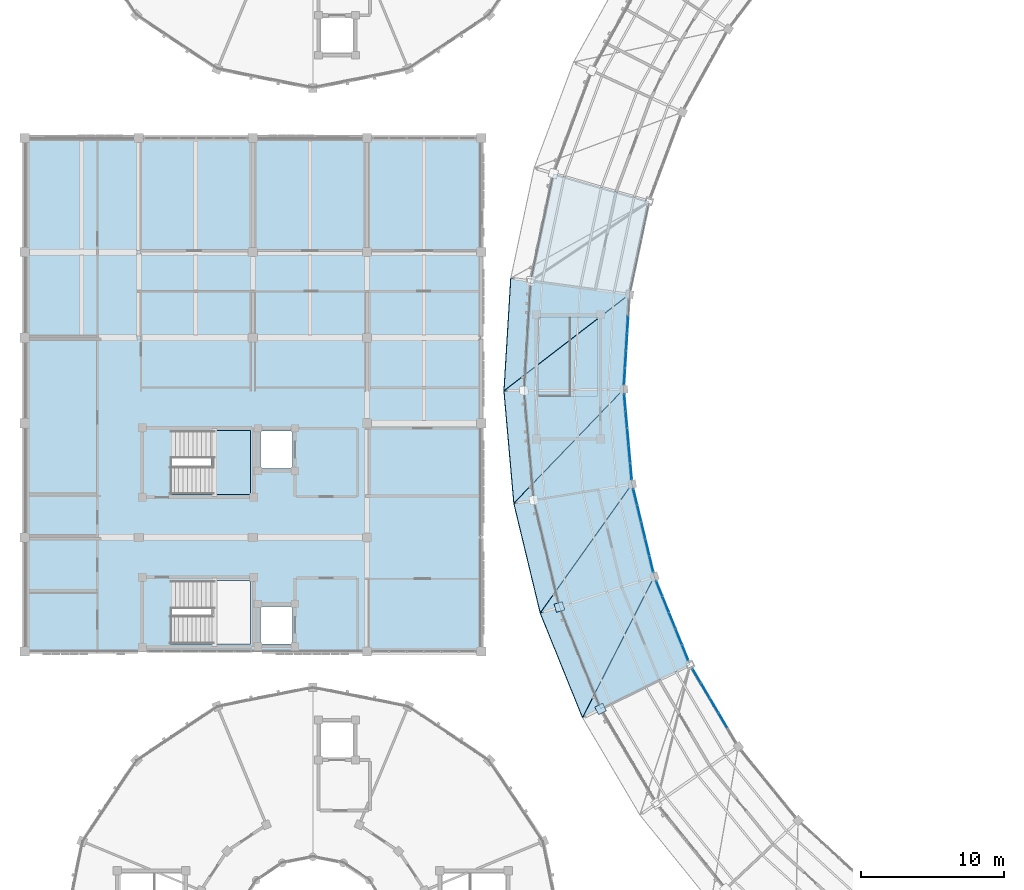
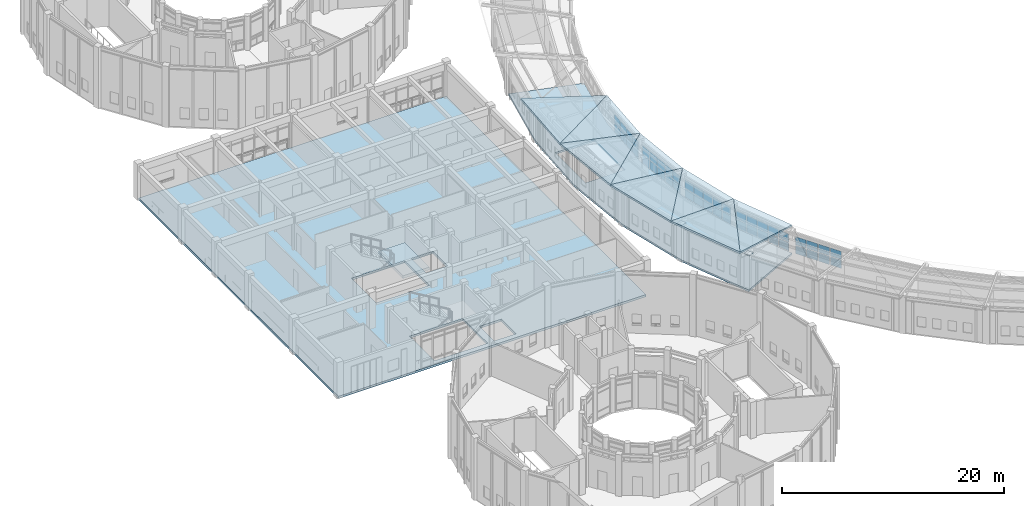
# One storey, part 102 of 149: 48 plates, 11 slabs, 6 elements without a shape of their own.
"""IFC4 building model written with IfcOpenShell, lengths in metres."""

import ifcopenshell
import ifcopenshell.guid

model = None  # the IFC model being written
_history = None  # IfcOwnerHistory: only IFC2X3 demands one
_inside = {}  # id of a spatial element -> (the spatial element, [elements in it])
_under = {}  # id of a project, library or spatial element -> (it, [spatial elements below it])
_declared = {}  # id of a project -> (the project, [libraries it declares])
_typed = {}  # id of a type object -> (the type object, [elements of that type])
_made_of = {}  # id of a material, layer set ... -> (it, [elements and type objects made of it])


def new_model(schema):
    """Start an empty IFC model of exactly this schema.

    Asked for "IFC4X3", IfcOpenShell would pick the latest addendum, in which some entities
    have other attributes; the version numbers below select the first issue.
    IFC2X3 requires an IfcOwnerHistory on every rooted entity: one is made here for all.
    """
    global model, _history
    if schema == "IFC4X3":
        model = ifcopenshell.file(schema_version=(4, 3, 0, 0))
    else:
        model = ifcopenshell.file(schema=schema)
    _inside.clear()
    _under.clear()
    _declared.clear()
    _typed.clear()
    _made_of.clear()
    _history = None
    if model.schema == "IFC2X3":
        org = make("IfcOrganization", Name="unknown")
        user = make(
            "IfcPersonAndOrganization",
            ThePerson=make("IfcPerson", FamilyName="unknown"),
            TheOrganization=org,
        )
        app = make(
            "IfcApplication",
            ApplicationDeveloper=org,
            Version="unknown",
            ApplicationFullName="unknown",
            ApplicationIdentifier="unknown",
        )
        _history = make(
            "IfcOwnerHistory",
            OwningUser=user,
            OwningApplication=app,
            ChangeAction="ADDED",
            CreationDate=0,
        )
    return model


def make(cls, **values):
    """One entity of the class cls with the attributes given. An attribute that is None is left unset."""
    return model.create_entity(
        cls, **{name: value for name, value in values.items() if value is not None}
    )


def rooted(cls, **values):
    """An entity with a GlobalId (a new one), such as an element, a storey or a relation."""
    return make(cls, GlobalId=ifcopenshell.guid.new(), OwnerHistory=_history, **values)


def si_unit(unit_type, name, prefix=None):
    """IfcSIUnit, for example si_unit("LENGTHUNIT", "METRE", prefix="MILLI")."""
    return make("IfcSIUnit", UnitType=unit_type, Prefix=prefix, Name=name)


def assignment(units):
    """IfcUnitAssignment: the units of a project."""
    return None if units is None else make("IfcUnitAssignment", Units=units)


def point(xyz):
    """IfcCartesianPoint."""
    return None if xyz is None else make("IfcCartesianPoint", Coordinates=xyz)


def direction(xyz):
    """IfcDirection."""
    return None if xyz is None else make("IfcDirection", DirectionRatios=xyz)


def frame(location, z_axis=None, x_axis=None):
    """IfcAxis2Placement3D, a coordinate frame: its origin and axes. An axis left out is left unset."""
    return make(
        "IfcAxis2Placement3D",
        Location=point(location),
        Axis=direction(z_axis),
        RefDirection=direction(x_axis),
    )


def frame_2d(location, x_axis=None):
    """IfcAxis2Placement2D, a coordinate frame in the plane: its origin and x axis."""
    return make(
        "IfcAxis2Placement2D", Location=point(location), RefDirection=direction(x_axis)
    )


def origin():
    """The frame at (0, 0, 0) with its axes left unset."""
    return frame((0.0, 0.0, 0.0))


def origin_2d():
    """The frame at (0, 0) in the plane with its x axis left unset."""
    return frame_2d((0.0, 0.0))


def place(relative_to, where):
    """IfcLocalPlacement: puts the frame where relative to a parent placement (None: the world)."""
    return make(
        "IfcLocalPlacement", PlacementRelTo=relative_to, RelativePlacement=where
    )


def context(
    kind, dimensions, precision=None, world=None, true_north=None, identifier=None
):
    """IfcGeometricRepresentationContext, for example the 3D "Model" context."""
    return make(
        "IfcGeometricRepresentationContext",
        ContextIdentifier=identifier,
        ContextType=kind,
        CoordinateSpaceDimension=dimensions,
        Precision=precision,
        WorldCoordinateSystem=world,
        TrueNorth=true_north,
    )


def subcontext(parent, identifier, kind, view, scale=None):
    """IfcGeometricRepresentationSubContext, for example "Body" below "Model"."""
    return make(
        "IfcGeometricRepresentationSubContext",
        ContextIdentifier=identifier,
        ContextType=kind,
        ParentContext=parent,
        TargetScale=scale,
        TargetView=view,
    )


def project(units=None, contexts=None):
    """IfcProject with its units and contexts."""
    return rooted(
        "IfcProject",
        Name="project",
        RepresentationContexts=contexts,
        UnitsInContext=assignment(units),
    )


def spatial(cls, under=None, at=None, **own):
    """A site, building, storey or space (cls), placed at a placement, below another one or the project."""
    s = rooted(cls, ObjectPlacement=at, **own)
    if under is not None:
        _under.setdefault(under.id(), (under, []))[1].append(s)
    return s


def polyline(points):
    """IfcPolyline through the points."""
    return make("IfcPolyline", Points=[point(p) for p in points])


def profile(cls, at=None, kind="AREA", **sizes):
    """A parametric profile (cls). Its sizes go by their IFC names, for example OverallWidth=200.0."""
    return make(cls, ProfileType=kind, Position=at, **sizes)


def rectangle(**sizes):
    """IfcRectangleProfileDef."""
    return profile("IfcRectangleProfileDef", **sizes)


def outline(outer, holes=None, kind="AREA"):
    """IfcArbitraryClosedProfileDef: a profile drawn as a closed curve; with holes, ...WithVoids."""
    if holes is None:
        return make("IfcArbitraryClosedProfileDef", ProfileType=kind, OuterCurve=outer)
    return make(
        "IfcArbitraryProfileDefWithVoids",
        ProfileType=kind,
        OuterCurve=outer,
        InnerCurves=holes,
    )


def extrude(swept, where, along, depth):
    """IfcExtrudedAreaSolid: the profile swept, set in the frame where, extruded along a direction by depth."""
    return make(
        "IfcExtrudedAreaSolid",
        SweptArea=swept,
        Position=where,
        ExtrudedDirection=direction(along),
        Depth=depth,
    )


def shape(context_of_items, identifier, shape_type, items):
    """IfcShapeRepresentation: the items that make up one representation, for example the "Body"."""
    return make(
        "IfcShapeRepresentation",
        ContextOfItems=context_of_items,
        RepresentationIdentifier=identifier,
        RepresentationType=shape_type,
        Items=items,
    )


def material(Name=None, Category=None):
    """IfcMaterial."""
    return make("IfcMaterial", Name=Name, Category=Category)


def layer(
    of_material, thickness, ventilated=None, Name=None, Category=None, Priority=None
):
    """IfcMaterialLayer: one layer of a wall or slab, of a material (None: an air gap)."""
    return make(
        "IfcMaterialLayer",
        Material=of_material,
        LayerThickness=thickness,
        IsVentilated=ventilated,
        Name=Name,
        Category=Category,
        Priority=Priority,
    )


def layer_set(layers, Name=None):
    """IfcMaterialLayerSet."""
    return make("IfcMaterialLayerSet", MaterialLayers=layers, LayerSetName=Name)


def made_of(thing, what):
    """Note that an element or type object is made of a material, layer set ...; save() writes the relation."""
    if what is not None:
        _made_of.setdefault(what.id(), (what, []))[1].append(thing)
    return thing


def type_object(cls, material=None, **own):
    """A type object (cls), such as IfcWallType, which elements share."""
    return made_of(rooted(cls, **own), material)


def element(
    cls,
    number,
    at=None,
    inside=None,
    cuts=None,
    type_object=None,
    material=None,
    context=None,
    identifier="Body",
    shape_type=None,
    held_by="IfcProductDefinitionShape",
    body=None,
    shapes=None,
    **own,
):
    """One element of the class cls, such as IfcWall. Its Tag is "e" and its number.

    at: its placement. inside: the storey or other place that contains it. cuts: it is an
    opening in that element (IfcRelVoidsElement). A single representation is given by context,
    identifier, shape_type and body (its items); several are given by shapes. held_by: the class
    of the entity that holds the representations. save() writes the other relations.
    """
    e = rooted(cls, Tag="e%d" % number, ObjectPlacement=at, **own)
    if body is not None:
        shapes = [shape(context, identifier, shape_type, body)]
    if shapes is not None:
        e.Representation = make(held_by, Representations=shapes)
    if inside is not None:
        _inside.setdefault(inside.id(), (inside, []))[1].append(e)
    if cuts is not None:
        rooted(
            "IfcRelVoidsElement", RelatingBuildingElement=cuts, RelatedOpeningElement=e
        )
    if type_object is not None:
        _typed.setdefault(type_object.id(), (type_object, []))[1].append(e)
    return made_of(e, material)


def aggregate(whole, parts):
    """IfcRelAggregates: a whole, such as a stair, and the parts it consists of."""
    return rooted("IfcRelAggregates", RelatingObject=whole, RelatedObjects=parts)


def save(model, path):
    """Write the relations noted so far, then the file.

    IfcRelAggregates (storeys below a building ...), IfcRelContainedInSpatialStructure (elements
    in a storey), IfcRelDefinesByType, IfcRelAssociatesMaterial and IfcRelDeclares: one each for
    every whole, place, type object, material and project.
    """
    for whole, parts in _under.values():
        aggregate(whole, parts)
    for where, things in _inside.values():
        rooted(
            "IfcRelContainedInSpatialStructure",
            RelatedElements=things,
            RelatingStructure=where,
        )
    for kind, things in _typed.values():
        rooted("IfcRelDefinesByType", RelatedObjects=things, RelatingType=kind)
    for what, things in _made_of.values():
        rooted("IfcRelAssociatesMaterial", RelatedObjects=things, RelatingMaterial=what)
    for by, libraries in _declared.values():
        rooted("IfcRelDeclares", RelatingContext=by, RelatedDefinitions=libraries)
    model.write(path)


model = new_model("IFC4")

# Units and contexts
model_context = context("Model", 3, precision=1e-05, world=origin(), true_north=direction((0.0, 1.0)))
body_context = subcontext(model_context, "Body", "Model", "MODEL_VIEW")
ifc_project = project(units=[si_unit("LENGTHUNIT", "METRE"), si_unit("AREAUNIT", "SQUARE_METRE"), si_unit("VOLUMEUNIT", "CUBIC_METRE"), si_unit("PLANEANGLEUNIT", "RADIAN"), si_unit("MASSUNIT", "GRAM", prefix="KILO")], contexts=[model_context])

# Site, building, storey
site_placement = place(None, origin())
site = spatial("IfcSite", under=ifc_project, at=site_placement, CompositionType="ELEMENT")
building_placement = place(site_placement, origin())
building = spatial("IfcBuilding", under=site, at=building_placement, Name="Celadon Cloister-Ring School", CompositionType="ELEMENT")
storey_placement = place(building_placement, frame((0.0, 0.0, 12.5)))
storey = spatial("IfcBuildingStorey", under=building, at=storey_placement, Name="L03", CompositionType="ELEMENT", Elevation=12.5)

# Curtain wall, plates
ifc_material_1 = material(Name="Aluminium EN AW-6063 T6", Category="aluminium")
curtain_wall_type = type_object("IfcCurtainWallType", Name="CW-02", PredefinedType="USERDEFINED", material=ifc_material_1)
curtain_wall_1_placement = place(storey_placement, origin())
curtain_wall_1 = element("IfcCurtainWall", 1, at=curtain_wall_1_placement, inside=storey, type_object=curtain_wall_type, Name="Curtain Wall 0050", ObjectType="CURTAIN WALL", PredefinedType="USERDEFINED")
ifc_material_2 = material(Name="Tempered laminated insulating glass", Category="glass")
ifc_layer_1 = layer(ifc_material_2, 0.035888671875)
ifc_layer_set_1 = layer_set([ifc_layer_1], Name="Tempered laminated insulating glass")
plate_type_1 = type_object("IfcPlateType", Name="CPN-03", PredefinedType="CURTAIN_PANEL", material=ifc_layer_set_1)
plate_1_placement = place(storey_placement, frame((42.278564453125, 62.924560546875, 0.074951171875), z_axis=(0.0, 0.0, 1.0), x_axis=(-0.060238065975, -0.998184038846, 0.0)))
plate_1 = element("IfcPlate", 2, at=plate_1_placement, type_object=plate_type_1, Name="CW-02 panel 2.1", PredefinedType="CURTAIN_PANEL", context=body_context, shape_type="SweptSolid", body=[
    extrude(rectangle(XDim=1.141845703125, YDim=0.035888671875, at=origin_2d()), origin(), (0.0, 0.0, 1.0), 0.8974609375),
])
plate_2_placement = place(storey_placement, frame((42.278564453125, 62.924560546875, 1.047607421875), z_axis=(0.0, 0.0, 1.0), x_axis=(-0.060238065975, -0.998184038846, 0.0)))
plate_2 = element("IfcPlate", 3, at=plate_2_placement, type_object=plate_type_1, Name="CW-02 panel 2.2", PredefinedType="CURTAIN_PANEL", context=body_context, shape_type="SweptSolid", body=[
    extrude(rectangle(XDim=1.141845703125, YDim=0.035888671875, at=origin_2d()), origin(), (0.0, 0.0, 1.0), 0.8974609375),
])
plate_3_placement = place(storey_placement, frame((42.205078125, 61.705078125, 0.074951171875), z_axis=(0.0, 0.0, 1.0), x_axis=(-0.060238065975, -0.998184038846, 0.0)))
plate_3 = element("IfcPlate", 4, at=plate_3_placement, type_object=plate_type_1, Name="CW-02 panel 3.1", PredefinedType="CURTAIN_PANEL", context=body_context, shape_type="SweptSolid", body=[
    extrude(rectangle(XDim=1.141845703125, YDim=0.035888671875, at=origin_2d()), origin(), (0.0, 0.0, 1.0), 0.8974609375),
])
plate_4_placement = place(storey_placement, frame((42.205078125, 61.705078125, 1.047607421875), z_axis=(0.0, 0.0, 1.0), x_axis=(-0.060238065975, -0.998184038846, 0.0)))
plate_4 = element("IfcPlate", 5, at=plate_4_placement, type_object=plate_type_1, Name="CW-02 panel 3.2", PredefinedType="CURTAIN_PANEL", context=body_context, shape_type="SweptSolid", body=[
    extrude(rectangle(XDim=1.141845703125, YDim=0.035888671875, at=origin_2d()), origin(), (0.0, 0.0, 1.0), 0.8974609375),
])
plate_5_placement = place(storey_placement, frame((42.13134765625, 60.4853515625, 0.074951171875), z_axis=(0.0, 0.0, 1.0), x_axis=(-0.060238065975, -0.998184038846, 0.0)))
plate_5 = element("IfcPlate", 6, at=plate_5_placement, type_object=plate_type_1, Name="CW-02 panel 4.1", PredefinedType="CURTAIN_PANEL", context=body_context, shape_type="SweptSolid", body=[
    extrude(rectangle(XDim=1.141845703125, YDim=0.035888671875, at=origin_2d()), origin(), (0.0, 0.0, 1.0), 0.8974609375),
])
plate_6_placement = place(storey_placement, frame((42.13134765625, 60.4853515625, 1.047607421875), z_axis=(0.0, 0.0, 1.0), x_axis=(-0.060238065975, -0.998184038846, 0.0)))
plate_6 = element("IfcPlate", 7, at=plate_6_placement, type_object=plate_type_1, Name="CW-02 panel 4.2", PredefinedType="CURTAIN_PANEL", context=body_context, shape_type="SweptSolid", body=[
    extrude(rectangle(XDim=1.141845703125, YDim=0.035888671875, at=origin_2d()), origin(), (0.0, 0.0, 1.0), 0.8974609375),
])
plate_7_placement = place(storey_placement, frame((42.05908203125, 59.28564453125, 0.074951171875), z_axis=(0.0, 0.0, 1.0), x_axis=(-0.060238065975, -0.998184038846, 0.0)))
plate_7 = element("IfcPlate", 8, at=plate_7_placement, type_object=plate_type_1, Name="CW-02 panel 5.1", PredefinedType="CURTAIN_PANEL", context=body_context, shape_type="SweptSolid", body=[
    extrude(rectangle(XDim=1.101806640625, YDim=0.035888671875, at=origin_2d()), origin(), (0.0, 0.0, 1.0), 0.8974609375),
])
plate_8_placement = place(storey_placement, frame((42.05908203125, 59.28564453125, 1.047607421875), z_axis=(0.0, 0.0, 1.0), x_axis=(-0.060238065975, -0.998184038846, 0.0)))
plate_8 = element("IfcPlate", 9, at=plate_8_placement, type_object=plate_type_1, Name="CW-02 panel 5.2", PredefinedType="CURTAIN_PANEL", context=body_context, shape_type="SweptSolid", body=[
    extrude(rectangle(XDim=1.101806640625, YDim=0.035888671875, at=origin_2d()), origin(), (0.0, 0.0, 1.0), 0.8974609375),
])
aggregate(curtain_wall_1, [plate_1, plate_2, plate_3, plate_4, plate_5, plate_6, plate_7, plate_8])

curtain_wall_2_placement = place(storey_placement, origin())
curtain_wall_2 = element("IfcCurtainWall", 10, at=curtain_wall_2_placement, inside=storey, type_object=curtain_wall_type, Name="Curtain Wall 0051", ObjectType="CURTAIN WALL", PredefinedType="USERDEFINED")
plate_9_placement = place(storey_placement, frame((42.08349609375, 57.4716796875, 0.074951171875), z_axis=(0.0, 0.0, 1.0), x_axis=(0.088070576756, -0.996114237179, 0.0)))
plate_9 = element("IfcPlate", 11, at=plate_9_placement, type_object=plate_type_1, Name="CW-02 panel 1.1", PredefinedType="CURTAIN_PANEL", context=body_context, shape_type="SweptSolid", body=[
    extrude(rectangle(XDim=1.101806640625, YDim=0.035888671875, at=origin_2d()), origin(), (0.0, 0.0, 1.0), 0.8974609375),
])
plate_10_placement = place(storey_placement, frame((42.08349609375, 57.4716796875, 1.047607421875), z_axis=(0.0, 0.0, 1.0), x_axis=(0.088070576756, -0.996114237179, 0.0)))
plate_10 = element("IfcPlate", 12, at=plate_10_placement, type_object=plate_type_1, Name="CW-02 panel 1.2", PredefinedType="CURTAIN_PANEL", context=body_context, shape_type="SweptSolid", body=[
    extrude(rectangle(XDim=1.101806640625, YDim=0.035888671875, at=origin_2d()), origin(), (0.0, 0.0, 1.0), 0.8974609375),
])
plate_11_placement = place(storey_placement, frame((42.189453125, 56.2744140625, 0.074951171875), z_axis=(0.0, 0.0, 1.0), x_axis=(0.088070576756, -0.996114237179, 0.0)))
plate_11 = element("IfcPlate", 13, at=plate_11_placement, type_object=plate_type_1, Name="CW-02 panel 2.1", PredefinedType="CURTAIN_PANEL", context=body_context, shape_type="SweptSolid", body=[
    extrude(rectangle(XDim=1.141845703125, YDim=0.035888671875, at=origin_2d()), origin(), (0.0, 0.0, 1.0), 0.8974609375),
])
plate_12_placement = place(storey_placement, frame((42.189453125, 56.2744140625, 1.047607421875), z_axis=(0.0, 0.0, 1.0), x_axis=(0.088070576756, -0.996114237179, 0.0)))
plate_12 = element("IfcPlate", 14, at=plate_12_placement, type_object=plate_type_1, Name="CW-02 panel 2.2", PredefinedType="CURTAIN_PANEL", context=body_context, shape_type="SweptSolid", body=[
    extrude(rectangle(XDim=1.141845703125, YDim=0.035888671875, at=origin_2d()), origin(), (0.0, 0.0, 1.0), 0.8974609375),
])
plate_13_placement = place(storey_placement, frame((42.297119140625, 55.0576171875, 0.074951171875), z_axis=(0.0, 0.0, 1.0), x_axis=(0.088070576756, -0.996114237179, 0.0)))
plate_13 = element("IfcPlate", 15, at=plate_13_placement, type_object=plate_type_1, Name="CW-02 panel 3.1", PredefinedType="CURTAIN_PANEL", context=body_context, shape_type="SweptSolid", body=[
    extrude(rectangle(XDim=1.141845703125, YDim=0.035888671875, at=origin_2d()), origin(), (0.0, 0.0, 1.0), 0.8974609375),
])
plate_14_placement = place(storey_placement, frame((42.297119140625, 55.0576171875, 1.047607421875), z_axis=(0.0, 0.0, 1.0), x_axis=(0.088070576756, -0.996114237179, 0.0)))
plate_14 = element("IfcPlate", 16, at=plate_14_placement, type_object=plate_type_1, Name="CW-02 panel 3.2", PredefinedType="CURTAIN_PANEL", context=body_context, shape_type="SweptSolid", body=[
    extrude(rectangle(XDim=1.141845703125, YDim=0.035888671875, at=origin_2d()), origin(), (0.0, 0.0, 1.0), 0.8974609375),
])
plate_15_placement = place(storey_placement, frame((42.404541015625, 53.840576171875, 0.074951171875), z_axis=(0.0, 0.0, 1.0), x_axis=(0.088070576756, -0.996114237179, 0.0)))
plate_15 = element("IfcPlate", 17, at=plate_15_placement, type_object=plate_type_1, Name="CW-02 panel 4.1", PredefinedType="CURTAIN_PANEL", context=body_context, shape_type="SweptSolid", body=[
    extrude(rectangle(XDim=1.141845703125, YDim=0.035888671875, at=origin_2d()), origin(), (0.0, 0.0, 1.0), 0.8974609375),
])
plate_16_placement = place(storey_placement, frame((42.404541015625, 53.840576171875, 1.047607421875), z_axis=(0.0, 0.0, 1.0), x_axis=(0.088070576756, -0.996114237179, 0.0)))
plate_16 = element("IfcPlate", 18, at=plate_16_placement, type_object=plate_type_1, Name="CW-02 panel 4.2", PredefinedType="CURTAIN_PANEL", context=body_context, shape_type="SweptSolid", body=[
    extrude(rectangle(XDim=1.141845703125, YDim=0.035888671875, at=origin_2d()), origin(), (0.0, 0.0, 1.0), 0.8974609375),
])
plate_17_placement = place(storey_placement, frame((42.510498046875, 52.643310546875, 0.074951171875), z_axis=(0.0, 0.0, 1.0), x_axis=(0.088070576756, -0.996114237179, 0.0)))
plate_17 = element("IfcPlate", 19, at=plate_17_placement, type_object=plate_type_1, Name="CW-02 panel 5.1", PredefinedType="CURTAIN_PANEL", context=body_context, shape_type="SweptSolid", body=[
    extrude(rectangle(XDim=1.101806640625, YDim=0.035888671875, at=origin_2d()), origin(), (0.0, 0.0, 1.0), 0.8974609375),
])
plate_18_placement = place(storey_placement, frame((42.510498046875, 52.643310546875, 1.047607421875), z_axis=(0.0, 0.0, 1.0), x_axis=(0.088070576756, -0.996114237179, 0.0)))
plate_18 = element("IfcPlate", 20, at=plate_18_placement, type_object=plate_type_1, Name="CW-02 panel 5.2", PredefinedType="CURTAIN_PANEL", context=body_context, shape_type="SweptSolid", body=[
    extrude(rectangle(XDim=1.101806640625, YDim=0.035888671875, at=origin_2d()), origin(), (0.0, 0.0, 1.0), 0.8974609375),
])
aggregate(curtain_wall_2, [plate_9, plate_10, plate_11, plate_12, plate_13, plate_14, plate_15, plate_16, plate_17, plate_18])

curtain_wall_3_placement = place(storey_placement, origin())
curtain_wall_3 = element("IfcCurtainWall", 21, at=curtain_wall_3_placement, inside=storey, type_object=curtain_wall_type, Name="Curtain Wall 0052", ObjectType="CURTAIN WALL", PredefinedType="USERDEFINED")
plate_19_placement = place(storey_placement, frame((42.802734375, 50.8525390625, 0.074951171875), z_axis=(0.0, 0.0, 1.0), x_axis=(0.234091088797, -0.972214668757, 0.0)))
plate_19 = element("IfcPlate", 22, at=plate_19_placement, type_object=plate_type_1, Name="CW-02 panel 1.1", PredefinedType="CURTAIN_PANEL", context=body_context, shape_type="SweptSolid", body=[
    extrude(rectangle(XDim=1.101806640625, YDim=0.035888671875, at=origin_2d()), origin(), (0.0, 0.0, 1.0), 0.8974609375),
])
plate_20_placement = place(storey_placement, frame((42.802734375, 50.8525390625, 1.047607421875), z_axis=(0.0, 0.0, 1.0), x_axis=(0.234091088797, -0.972214668757, 0.0)))
plate_20 = element("IfcPlate", 23, at=plate_20_placement, type_object=plate_type_1, Name="CW-02 panel 1.2", PredefinedType="CURTAIN_PANEL", context=body_context, shape_type="SweptSolid", body=[
    extrude(rectangle(XDim=1.101806640625, YDim=0.035888671875, at=origin_2d()), origin(), (0.0, 0.0, 1.0), 0.8974609375),
])
plate_21_placement = place(storey_placement, frame((43.083984375, 49.684326171875, 0.074951171875), z_axis=(0.0, 0.0, 1.0), x_axis=(0.234091088797, -0.972214668757, 0.0)))
plate_21 = element("IfcPlate", 24, at=plate_21_placement, type_object=plate_type_1, Name="CW-02 panel 2.1", PredefinedType="CURTAIN_PANEL", context=body_context, shape_type="SweptSolid", body=[
    extrude(rectangle(XDim=1.141845703125, YDim=0.035888671875, at=origin_2d()), origin(), (0.0, 0.0, 1.0), 0.8974609375),
])
plate_22_placement = place(storey_placement, frame((43.083984375, 49.684326171875, 1.047607421875), z_axis=(0.0, 0.0, 1.0), x_axis=(0.234091088797, -0.972214668757, 0.0)))
plate_22 = element("IfcPlate", 25, at=plate_22_placement, type_object=plate_type_1, Name="CW-02 panel 2.2", PredefinedType="CURTAIN_PANEL", context=body_context, shape_type="SweptSolid", body=[
    extrude(rectangle(XDim=1.141845703125, YDim=0.035888671875, at=origin_2d()), origin(), (0.0, 0.0, 1.0), 0.8974609375),
])
plate_23_placement = place(storey_placement, frame((43.3701171875, 48.49658203125, 0.074951171875), z_axis=(0.0, 0.0, 1.0), x_axis=(0.234091088797, -0.972214668757, 0.0)))
plate_23 = element("IfcPlate", 26, at=plate_23_placement, type_object=plate_type_1, Name="CW-02 panel 3.1", PredefinedType="CURTAIN_PANEL", context=body_context, shape_type="SweptSolid", body=[
    extrude(rectangle(XDim=1.141845703125, YDim=0.035888671875, at=origin_2d()), origin(), (0.0, 0.0, 1.0), 0.8974609375),
])
plate_24_placement = place(storey_placement, frame((43.3701171875, 48.49658203125, 1.047607421875), z_axis=(0.0, 0.0, 1.0), x_axis=(0.234091088797, -0.972214668757, 0.0)))
plate_24 = element("IfcPlate", 27, at=plate_24_placement, type_object=plate_type_1, Name="CW-02 panel 3.2", PredefinedType="CURTAIN_PANEL", context=body_context, shape_type="SweptSolid", body=[
    extrude(rectangle(XDim=1.141845703125, YDim=0.035888671875, at=origin_2d()), origin(), (0.0, 0.0, 1.0), 0.8974609375),
])
plate_25_placement = place(storey_placement, frame((43.656005859375, 47.30859375, 0.074951171875), z_axis=(0.0, 0.0, 1.0), x_axis=(0.234091088797, -0.972214668757, 0.0)))
plate_25 = element("IfcPlate", 28, at=plate_25_placement, type_object=plate_type_1, Name="CW-02 panel 4.1", PredefinedType="CURTAIN_PANEL", context=body_context, shape_type="SweptSolid", body=[
    extrude(rectangle(XDim=1.141845703125, YDim=0.035888671875, at=origin_2d()), origin(), (0.0, 0.0, 1.0), 0.8974609375),
])
plate_26_placement = place(storey_placement, frame((43.656005859375, 47.30859375, 1.047607421875), z_axis=(0.0, 0.0, 1.0), x_axis=(0.234091088797, -0.972214668757, 0.0)))
plate_26 = element("IfcPlate", 29, at=plate_26_placement, type_object=plate_type_1, Name="CW-02 panel 4.2", PredefinedType="CURTAIN_PANEL", context=body_context, shape_type="SweptSolid", body=[
    extrude(rectangle(XDim=1.141845703125, YDim=0.035888671875, at=origin_2d()), origin(), (0.0, 0.0, 1.0), 0.8974609375),
])
plate_27_placement = place(storey_placement, frame((43.937255859375, 46.140380859375, 0.074951171875), z_axis=(0.0, 0.0, 1.0), x_axis=(0.234091088797, -0.972214668757, 0.0)))
plate_27 = element("IfcPlate", 30, at=plate_27_placement, type_object=plate_type_1, Name="CW-02 panel 5.1", PredefinedType="CURTAIN_PANEL", context=body_context, shape_type="SweptSolid", body=[
    extrude(rectangle(XDim=1.101806640625, YDim=0.035888671875, at=origin_2d()), origin(), (0.0, 0.0, 1.0), 0.8974609375),
])
plate_28_placement = place(storey_placement, frame((43.937255859375, 46.140380859375, 1.047607421875), z_axis=(0.0, 0.0, 1.0), x_axis=(0.234091088797, -0.972214668757, 0.0)))
plate_28 = element("IfcPlate", 31, at=plate_28_placement, type_object=plate_type_1, Name="CW-02 panel 5.2", PredefinedType="CURTAIN_PANEL", context=body_context, shape_type="SweptSolid", body=[
    extrude(rectangle(XDim=1.101806640625, YDim=0.035888671875, at=origin_2d()), origin(), (0.0, 0.0, 1.0), 0.8974609375),
])
aggregate(curtain_wall_3, [plate_19, plate_20, plate_21, plate_22, plate_23, plate_24, plate_25, plate_26, plate_27, plate_28])

curtain_wall_4_placement = place(storey_placement, origin())
curtain_wall_4 = element("IfcCurtainWall", 32, at=curtain_wall_4_placement, inside=storey, type_object=curtain_wall_type, Name="Curtain Wall 0053", ObjectType="CURTAIN WALL", PredefinedType="USERDEFINED")
plate_29_placement = place(storey_placement, frame((44.49169921875, 44.4130859375, 0.074951171875), z_axis=(0.0, 0.0, 1.0), x_axis=(0.37497175447, -0.927036236266, 0.0)))
plate_29 = element("IfcPlate", 33, at=plate_29_placement, type_object=plate_type_1, Name="CW-02 panel 1.1", PredefinedType="CURTAIN_PANEL", context=body_context, shape_type="SweptSolid", body=[
    extrude(rectangle(XDim=1.10205078125, YDim=0.035888671875, at=origin_2d()), origin(), (0.0, 0.0, 1.0), 0.8974609375),
])
plate_30_placement = place(storey_placement, frame((44.49169921875, 44.4130859375, 1.047607421875), z_axis=(0.0, 0.0, 1.0), x_axis=(0.37497175447, -0.927036236266, 0.0)))
plate_30 = element("IfcPlate", 34, at=plate_30_placement, type_object=plate_type_1, Name="CW-02 panel 1.2", PredefinedType="CURTAIN_PANEL", context=body_context, shape_type="SweptSolid", body=[
    extrude(rectangle(XDim=1.10205078125, YDim=0.035888671875, at=origin_2d()), origin(), (0.0, 0.0, 1.0), 0.8974609375),
])
plate_31_placement = place(storey_placement, frame((44.9423828125, 43.298828125, 0.074951171875), z_axis=(0.0, 0.0, 1.0), x_axis=(0.37497175447, -0.927036236266, 0.0)))
plate_31 = element("IfcPlate", 35, at=plate_31_placement, type_object=plate_type_1, Name="CW-02 panel 2.1", PredefinedType="CURTAIN_PANEL", context=body_context, shape_type="SweptSolid", body=[
    extrude(rectangle(XDim=1.141845703125, YDim=0.035888671875, at=origin_2d()), origin(), (0.0, 0.0, 1.0), 0.8974609375),
])
plate_32_placement = place(storey_placement, frame((44.9423828125, 43.298828125, 1.047607421875), z_axis=(0.0, 0.0, 1.0), x_axis=(0.37497175447, -0.927036236266, 0.0)))
plate_32 = element("IfcPlate", 36, at=plate_32_placement, type_object=plate_type_1, Name="CW-02 panel 2.2", PredefinedType="CURTAIN_PANEL", context=body_context, shape_type="SweptSolid", body=[
    extrude(rectangle(XDim=1.141845703125, YDim=0.035888671875, at=origin_2d()), origin(), (0.0, 0.0, 1.0), 0.8974609375),
])
plate_33_placement = place(storey_placement, frame((45.400390625, 42.166015625, 0.074951171875), z_axis=(0.0, 0.0, 1.0), x_axis=(0.37497175447, -0.927036236266, 0.0)))
plate_33 = element("IfcPlate", 37, at=plate_33_placement, type_object=plate_type_1, Name="CW-02 panel 3.1", PredefinedType="CURTAIN_PANEL", context=body_context, shape_type="SweptSolid", body=[
    extrude(rectangle(XDim=1.141845703125, YDim=0.035888671875, at=origin_2d()), origin(), (0.0, 0.0, 1.0), 0.8974609375),
])
plate_34_placement = place(storey_placement, frame((45.400390625, 42.166015625, 1.047607421875), z_axis=(0.0, 0.0, 1.0), x_axis=(0.37497175447, -0.927036236266, 0.0)))
plate_34 = element("IfcPlate", 38, at=plate_34_placement, type_object=plate_type_1, Name="CW-02 panel 3.2", PredefinedType="CURTAIN_PANEL", context=body_context, shape_type="SweptSolid", body=[
    extrude(rectangle(XDim=1.141845703125, YDim=0.035888671875, at=origin_2d()), origin(), (0.0, 0.0, 1.0), 0.8974609375),
])
plate_35_placement = place(storey_placement, frame((45.858642578125, 41.033203125, 0.074951171875), z_axis=(0.0, 0.0, 1.0), x_axis=(0.37497175447, -0.927036236266, 0.0)))
plate_35 = element("IfcPlate", 39, at=plate_35_placement, type_object=plate_type_1, Name="CW-02 panel 4.1", PredefinedType="CURTAIN_PANEL", context=body_context, shape_type="SweptSolid", body=[
    extrude(rectangle(XDim=1.141845703125, YDim=0.035888671875, at=origin_2d()), origin(), (0.0, 0.0, 1.0), 0.8974609375),
])
plate_36_placement = place(storey_placement, frame((45.858642578125, 41.033203125, 1.047607421875), z_axis=(0.0, 0.0, 1.0), x_axis=(0.37497175447, -0.927036236266, 0.0)))
plate_36 = element("IfcPlate", 40, at=plate_36_placement, type_object=plate_type_1, Name="CW-02 panel 4.2", PredefinedType="CURTAIN_PANEL", context=body_context, shape_type="SweptSolid", body=[
    extrude(rectangle(XDim=1.141845703125, YDim=0.035888671875, at=origin_2d()), origin(), (0.0, 0.0, 1.0), 0.8974609375),
])
plate_37_placement = place(storey_placement, frame((46.309326171875, 39.9189453125, 0.074951171875), z_axis=(0.0, 0.0, 1.0), x_axis=(0.37497175447, -0.927036236266, 0.0)))
plate_37 = element("IfcPlate", 41, at=plate_37_placement, type_object=plate_type_1, Name="CW-02 panel 5.1", PredefinedType="CURTAIN_PANEL", context=body_context, shape_type="SweptSolid", body=[
    extrude(rectangle(XDim=1.10205078125, YDim=0.035888671875, at=origin_2d()), origin(), (0.0, 0.0, 1.0), 0.8974609375),
])
plate_38_placement = place(storey_placement, frame((46.309326171875, 39.9189453125, 1.047607421875), z_axis=(0.0, 0.0, 1.0), x_axis=(0.37497175447, -0.927036236266, 0.0)))
plate_38 = element("IfcPlate", 42, at=plate_38_placement, type_object=plate_type_1, Name="CW-02 panel 5.2", PredefinedType="CURTAIN_PANEL", context=body_context, shape_type="SweptSolid", body=[
    extrude(rectangle(XDim=1.10205078125, YDim=0.035888671875, at=origin_2d()), origin(), (0.0, 0.0, 1.0), 0.8974609375),
])
aggregate(curtain_wall_4, [plate_29, plate_30, plate_31, plate_32, plate_33, plate_34, plate_35, plate_36, plate_37, plate_38])

curtain_wall_5_placement = place(storey_placement, origin())
curtain_wall_5 = element("IfcCurtainWall", 43, at=curtain_wall_5_placement, inside=storey, type_object=curtain_wall_type, Name="Curtain Wall 0054", ObjectType="CURTAIN WALL", PredefinedType="USERDEFINED")
plate_39_placement = place(storey_placement, frame((47.113525390625, 38.29248046875, 0.074951171875), z_axis=(0.0, 0.0, 1.0), x_axis=(0.507885374036, -0.861424661152, 0.0)))
plate_39 = element("IfcPlate", 44, at=plate_39_placement, type_object=plate_type_1, Name="CW-02 panel 1.1", PredefinedType="CURTAIN_PANEL", context=body_context, shape_type="SweptSolid", body=[
    extrude(rectangle(XDim=1.10205078125, YDim=0.035888671875, at=origin_2d()), origin(), (0.0, 0.0, 1.0), 0.8974609375),
])
plate_40_placement = place(storey_placement, frame((47.113525390625, 38.29248046875, 1.047607421875), z_axis=(0.0, 0.0, 1.0), x_axis=(0.507885374036, -0.861424661152, 0.0)))
plate_40 = element("IfcPlate", 45, at=plate_40_placement, type_object=plate_type_1, Name="CW-02 panel 1.2", PredefinedType="CURTAIN_PANEL", context=body_context, shape_type="SweptSolid", body=[
    extrude(rectangle(XDim=1.10205078125, YDim=0.035888671875, at=origin_2d()), origin(), (0.0, 0.0, 1.0), 0.8974609375),
])
plate_41_placement = place(storey_placement, frame((47.723876953125, 37.257080078125, 0.074951171875), z_axis=(0.0, 0.0, 1.0), x_axis=(0.507885374036, -0.861424661152, 0.0)))
plate_41 = element("IfcPlate", 46, at=plate_41_placement, type_object=plate_type_1, Name="CW-02 panel 2.1", PredefinedType="CURTAIN_PANEL", context=body_context, shape_type="SweptSolid", body=[
    extrude(rectangle(XDim=1.141845703125, YDim=0.035888671875, at=origin_2d()), origin(), (0.0, 0.0, 1.0), 0.8974609375),
])
plate_42_placement = place(storey_placement, frame((47.723876953125, 37.257080078125, 1.047607421875), z_axis=(0.0, 0.0, 1.0), x_axis=(0.507885374036, -0.861424661152, 0.0)))
plate_42 = element("IfcPlate", 47, at=plate_42_placement, type_object=plate_type_1, Name="CW-02 panel 2.2", PredefinedType="CURTAIN_PANEL", context=body_context, shape_type="SweptSolid", body=[
    extrude(rectangle(XDim=1.141845703125, YDim=0.035888671875, at=origin_2d()), origin(), (0.0, 0.0, 1.0), 0.8974609375),
])
plate_43_placement = place(storey_placement, frame((48.344482421875, 36.20458984375, 0.074951171875), z_axis=(0.0, 0.0, 1.0), x_axis=(0.507885374036, -0.861424661152, 0.0)))
plate_43 = element("IfcPlate", 48, at=plate_43_placement, type_object=plate_type_1, Name="CW-02 panel 3.1", PredefinedType="CURTAIN_PANEL", context=body_context, shape_type="SweptSolid", body=[
    extrude(rectangle(XDim=1.141845703125, YDim=0.035888671875, at=origin_2d()), origin(), (0.0, 0.0, 1.0), 0.8974609375),
])
plate_44_placement = place(storey_placement, frame((48.344482421875, 36.20458984375, 1.047607421875), z_axis=(0.0, 0.0, 1.0), x_axis=(0.507885374036, -0.861424661152, 0.0)))
plate_44 = element("IfcPlate", 49, at=plate_44_placement, type_object=plate_type_1, Name="CW-02 panel 3.2", PredefinedType="CURTAIN_PANEL", context=body_context, shape_type="SweptSolid", body=[
    extrude(rectangle(XDim=1.141845703125, YDim=0.035888671875, at=origin_2d()), origin(), (0.0, 0.0, 1.0), 0.8974609375),
])
plate_45_placement = place(storey_placement, frame((48.965087890625, 35.15185546875, 0.074951171875), z_axis=(0.0, 0.0, 1.0), x_axis=(0.507885374036, -0.861424661152, 0.0)))
plate_45 = element("IfcPlate", 50, at=plate_45_placement, type_object=plate_type_1, Name="CW-02 panel 4.1", PredefinedType="CURTAIN_PANEL", context=body_context, shape_type="SweptSolid", body=[
    extrude(rectangle(XDim=1.141845703125, YDim=0.035888671875, at=origin_2d()), origin(), (0.0, 0.0, 1.0), 0.8974609375),
])
plate_46_placement = place(storey_placement, frame((48.965087890625, 35.15185546875, 1.047607421875), z_axis=(0.0, 0.0, 1.0), x_axis=(0.507885374036, -0.861424661152, 0.0)))
plate_46 = element("IfcPlate", 51, at=plate_46_placement, type_object=plate_type_1, Name="CW-02 panel 4.2", PredefinedType="CURTAIN_PANEL", context=body_context, shape_type="SweptSolid", body=[
    extrude(rectangle(XDim=1.141845703125, YDim=0.035888671875, at=origin_2d()), origin(), (0.0, 0.0, 1.0), 0.8974609375),
])
aggregate(curtain_wall_5, [plate_39, plate_40, plate_41, plate_42, plate_43, plate_44, plate_45, plate_46])

# Plates
ifc_material_3 = material(Name="Structural steel S355JR", Category="steel")
ifc_layer_2 = layer(ifc_material_3, 0.02001953125)
ifc_layer_set_2 = layer_set([ifc_layer_2], Name="Structural steel S355JR")
plate_type_2 = type_object("IfcPlateType", Name="PT-01", PredefinedType="SHEET", material=ifc_layer_set_2)
for number, where, z_axis, x_axis, name in (
    (52, (37.485107421875, 43.117919921875, 4.041015625), (0.0, 0.0, 1.0), (-0.95221472185, -0.305429408362, 0.0), "Gusset Plate 0014"),
    (53, (40.375, 35.97705078125, 4.0390625), (0.0, 0.0, 1.0), (-0.896641036785, -0.442758231039, 0.0), "Gusset Plate 0015"),
):
    element("IfcPlate", number, at=place(storey_placement, frame(where, z_axis=z_axis, x_axis=x_axis)), inside=storey, type_object=plate_type_2, Name=name, PredefinedType="SHEET", context=body_context, shape_type="SweptSolid", body=[
        extrude(rectangle(XDim=0.60009765625, YDim=0.60009765625, at=origin_2d()), origin(), (0.0, 0.0, 1.0), 0.02001953125),
    ])

# Slabs
ifc_material_4 = material(Name="Concrete C35/45", Category="concrete")
ifc_layer_3 = layer(ifc_material_4, 0.199951171875)
ifc_layer_set_3 = layer_set([ifc_layer_3], Name="Concrete C35/45")
slab_type_1 = type_object("IfcSlabType", Name="SL-FL1", PredefinedType="FLOOR", material=ifc_layer_set_3)
slab_1_placement = place(storey_placement, frame((0.0, 0.0, -0.199951171875)))
element("IfcSlab", 54, at=slab_1_placement, inside=storey, type_object=slab_type_1, Name="Ring L03 Sector 0023", PredefinedType="FLOOR", context=body_context, shape_type="SweptSolid", body=[
    extrude(outline(polyline([(43.787109375, 71.554931640625), (42.406005859375, 65.031982421875), (42.00390625, 58.3779296875), (42.590087890625, 51.737060546875), (44.14990234375, 45.256103515625), (46.65087890625, 39.075927734375), (40.375, 35.97705078125), (37.485107421875, 43.117919921875), (35.681884765625, 50.60693359375), (35.0048828125, 58.281005859375), (35.468994140625, 65.970947265625), (37.06494140625, 73.508056640625), (43.787109375, 71.554931640625)]), holes=[polyline([(40.14990234375, 57.9150390625), (40.14990234375, 63.39990234375), (36.070068359375, 63.39990234375), (36.070068359375, 57.9150390625), (40.14990234375, 57.9150390625)])]), origin(), (0.0, 0.0, 1.0), 0.199951171875),
])
ifc_material_5 = material(Name="Concrete C35/45", Category="concrete")
ifc_layer_4 = layer(ifc_material_5, 0.239990234375)
ifc_layer_set_4 = layer_set([ifc_layer_4], Name="Concrete C35/45")
slab_type_2 = type_object("IfcSlabType", Name="SL-FL3", PredefinedType="FLOOR", material=ifc_layer_set_4)
slab_2_placement = place(storey_placement, frame((0.0, 0.0, -0.239990234375)))
element("IfcSlab", 55, at=slab_2_placement, inside=storey, type_object=slab_type_2, Name="Science Wing L03 Slab 0073", PredefinedType="FLOOR", context=body_context, shape_type="SweptSolid", body=[
    extrude(outline(polyline([(0.0, 76.0), (32.0, 76.0), (32.0, 40.0), (0.0, 40.0), (0.0, 76.0)]), holes=[polyline([(18.77001953125, 40.530029296875), (18.77001953125, 43.169921875), (16.530029296875, 43.169921875), (16.530029296875, 40.530029296875), (18.77001953125, 40.530029296875)]), polyline([(15.830078125, 40.52001953125), (15.830078125, 44.97998046875), (10.2900390625, 44.97998046875), (10.2900390625, 40.52001953125), (15.830078125, 40.52001953125)]), polyline([(15.830078125, 51.02001953125), (15.830078125, 55.47998046875), (10.2900390625, 55.47998046875), (10.2900390625, 51.02001953125), (15.830078125, 51.02001953125)]), polyline([(18.77001953125, 52.830078125), (18.77001953125, 55.469970703125), (16.530029296875, 55.469970703125), (16.530029296875, 52.830078125), (18.77001953125, 52.830078125)])]), origin(), (0.0, 0.0, 1.0), 0.239990234375),
])

# Stair, slab
ifc_material_6 = material(Name="Concrete C35/45", Category="concrete")
stair_type = type_object("IfcStairType", Name="ST-04", PredefinedType="HALF_TURN_STAIR", material=ifc_material_6)
stair_placement = place(storey_placement, origin())
stair = element("IfcStair", 56, at=stair_placement, inside=storey, type_object=stair_type, Name="Exit Stair ST-V5B L03", PredefinedType="HALF_TURN_STAIR")
ifc_material_7 = material(Name="Concrete C35/45", Category="concrete")
ifc_layer_5 = layer(ifc_material_7, 0.300048828125)
ifc_layer_set_5 = layer_set([ifc_layer_5], Name="Concrete C35/45")
slab_type_3 = type_object("IfcSlabType", Name="SL-LD2", PredefinedType="LANDING", material=ifc_layer_set_5)
slab_3_placement = place(storey_placement, frame((0.0, 0.0, 1.699951171875)))
slab_3 = element("IfcSlab", 57, at=slab_3_placement, type_object=slab_type_3, Name="ST-04 landing 1", PredefinedType="LANDING", context=body_context, shape_type="SweptSolid", body=[
    extrude(outline(polyline([(13.080078125, 51.02001953125), (15.830078125, 51.02001953125), (15.830078125, 55.47998046875), (13.080078125, 55.47998046875), (13.080078125, 51.02001953125)])), origin(), (0.0, 0.0, 1.0), 0.300048828125),
])
aggregate(stair, [slab_3])

# Slabs
ifc_material_8 = material(Name="Concrete C35/45", Category="concrete")
ifc_layer_6 = layer(ifc_material_8, 0.179931640625)
ifc_layer_set_6 = layer_set([ifc_layer_6], Name="Concrete C35/45")
slab_type_4 = type_object("IfcSlabType", Name="SL-RF1", PredefinedType="ROOF", material=ifc_layer_set_6)
slab_4_placement = place(storey_placement, frame((42.406005859375, 65.031982421875, 3.10009765625), z_axis=(0.22078554386, -0.013337505494, 0.975231180064), x_axis=(-0.966544515745, 0.130857002044, 0.220608576669)))
element("IfcSlab", 58, at=slab_4_placement, inside=storey, type_object=slab_type_4, Name="Conical Upper Roof Inner Tri 0027", PredefinedType="ROOF", context=body_context, shape_type="SweptSolid", body=[
    extrude(outline(polyline([(0.0, 0.0), (8.612096467135844, 3.8163916471489756e-17), (8.03981311646733, 7.890642961634942), (0.0, 0.0)])), origin(), (0.0, 0.0, -1.0), 0.179931640625),
])
slab_5_placement = place(storey_placement, frame((42.406005859375, 65.031982421875, 3.10009765625), z_axis=(0.220788911239, -0.013342114724, 0.975230354659), x_axis=(-0.781269775362, -0.600976750278, 0.168654925015)))
element("IfcSlab", 59, at=slab_5_placement, inside=storey, type_object=slab_type_4, Name="Conical Upper Roof Outer Tri 0028", PredefinedType="ROOF", context=body_context, shape_type="SweptSolid", body=[
    extrude(outline(polyline([(0.0, 0.0), (11.265027354415041, 1.1102230246251565e-16), (4.313079259972996, 5.0828583675815455), (0.0, 0.0)])), origin(), (0.0, 0.0, -1.0), 0.179931640625),
])
slab_6_placement = place(storey_placement, frame((42.00390625, 58.3779296875, 3.10009765625), z_axis=(0.220336373534, 0.01943301287, 0.975230352537), x_axis=(-0.975268395709, -0.013465859193, 0.220613297349)))
element("IfcSlab", 60, at=slab_6_placement, inside=storey, type_object=slab_type_4, Name="Conical Upper Roof Inner Tri 0031", PredefinedType="ROOF", context=body_context, shape_type="SweptSolid", body=[
    extrude(outline(polyline([(0.0, 0.0), (8.611912185613024, 3.469446951953614e-17), (8.0401565245218, 7.890764220070181), (0.0, 0.0)])), origin(), (0.0, 0.0, -1.0), 0.179931640625),
])
slab_7_placement = place(storey_placement, frame((42.00390625, 58.3779296875, 3.10009765625), z_axis=(0.220322000785, 0.01944756163, 0.975233309684), x_axis=(-0.683853797222, -0.709859962859, 0.168649984154)))
element("IfcSlab", 61, at=slab_7_placement, inside=storey, type_object=slab_type_4, Name="Conical Upper Roof Outer Tri 0032", PredefinedType="ROOF", context=body_context, shape_type="SweptSolid", body=[
    extrude(outline(polyline([(0.0, 0.0), (11.265357380729217, 3.885780586188048e-16), (4.313224580710639, 5.083389181940016), (0.0, 0.0)])), origin(), (0.0, 0.0, -1.0), 0.179931640625),
])
slab_8_placement = place(storey_placement, frame((42.590087890625, 51.737060546875, 3.10009765625), z_axis=(0.215033394505, 0.051780571079, 0.975233003803), x_axis=(-0.962572978891, -0.157442876804, 0.220601452519)))
element("IfcSlab", 62, at=slab_8_placement, inside=storey, type_object=slab_type_4, Name="Conical Upper Roof Inner Tri 0035", PredefinedType="ROOF", context=body_context, shape_type="SweptSolid", body=[
    extrude(outline(polyline([(0.0, 0.0), (8.612374588007592, -1.700029006457271e-16), (8.04055923890945, 7.890316463586883), (0.0, 0.0)])), origin(), (0.0, 0.0, -1.0), 0.179931640625),
])
slab_9_placement = place(storey_placement, frame((42.590087890625, 51.737060546875, 3.10009765625), z_axis=(0.215060734602, 0.051760078105, 0.975228062941), x_axis=(-0.571486818625, -0.803093933932, 0.168650376281)))
element("IfcSlab", 63, at=slab_9_placement, inside=storey, type_object=slab_type_4, Name="Conical Upper Roof Outer Tri 0036", PredefinedType="ROOF", context=body_context, shape_type="SweptSolid", body=[
    extrude(outline(polyline([(0.0, 0.0), (11.26533118776196, 4.440892098500626e-16), (4.313403878408344, 5.0823589159777285), (0.0, 0.0)])), origin(), (0.0, 0.0, -1.0), 0.179931640625),
])
slab_10_placement = place(storey_placement, frame((44.14990234375, 45.256103515625, 3.10009765625), z_axis=(0.205050404703, 0.082959532493, 0.975229228182), x_axis=(-0.928724295872, -0.297988982384, 0.220621278747)))
element("IfcSlab", 64, at=slab_10_placement, inside=storey, type_object=slab_type_4, Name="Conical Upper Roof Inner Tri 0039", PredefinedType="ROOF", context=body_context, shape_type="SweptSolid", body=[
    extrude(outline(polyline([(0.0, 0.0), (8.611600633178185, 5.551115123125783e-17), (8.041419830308126, 7.889853048551301), (0.0, 0.0)])), origin(), (0.0, 0.0, -1.0), 0.179931640625),
])
slab_11_placement = place(storey_placement, frame((44.14990234375, 45.256103515625, 3.10009765625), z_axis=(0.205029543529, 0.082970792601, 0.97523265627), x_axis=(-0.446580433421, -0.878706111221, 0.16864603935)))
element("IfcSlab", 65, at=slab_11_placement, inside=storey, type_object=slab_type_4, Name="Conical Upper Roof Outer Tri 0040", PredefinedType="ROOF", context=body_context, shape_type="SweptSolid", body=[
    extrude(outline(polyline([(0.0, 0.0), (11.26562088901482, -8.881784197001252e-16), (4.3136710301462164, 5.083473093958563), (0.0, 0.0)])), origin(), (0.0, 0.0, -1.0), 0.179931640625),
])

save(model, "model.ifc")
